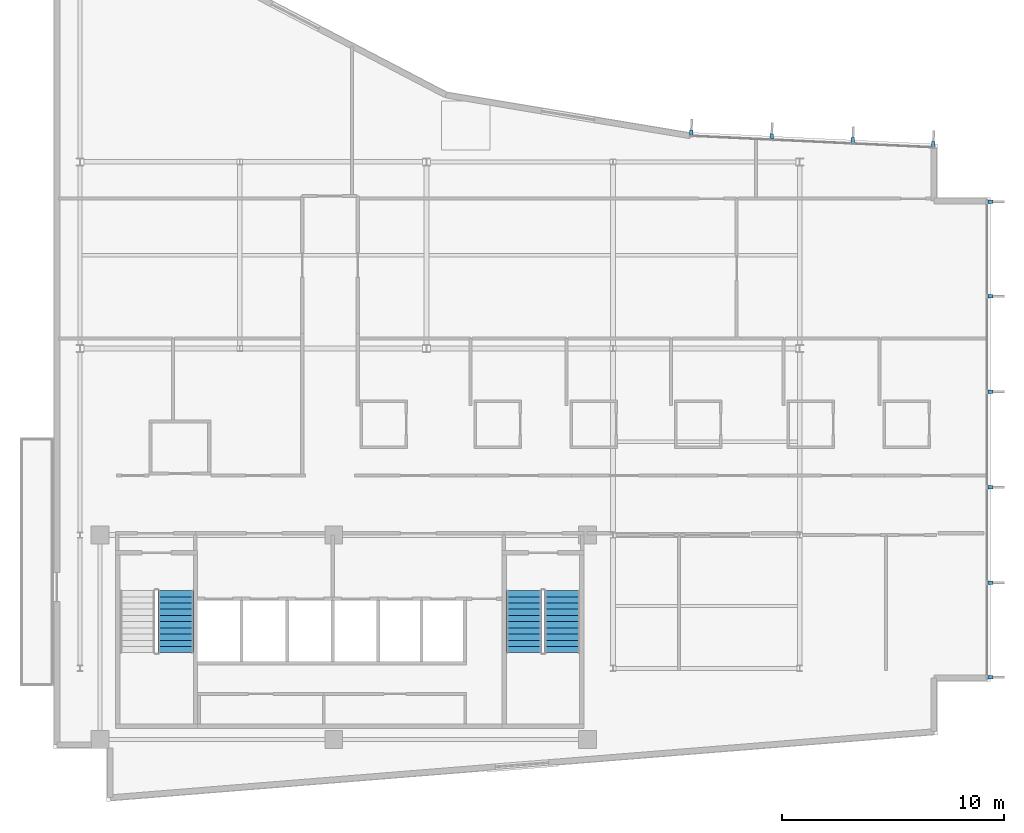
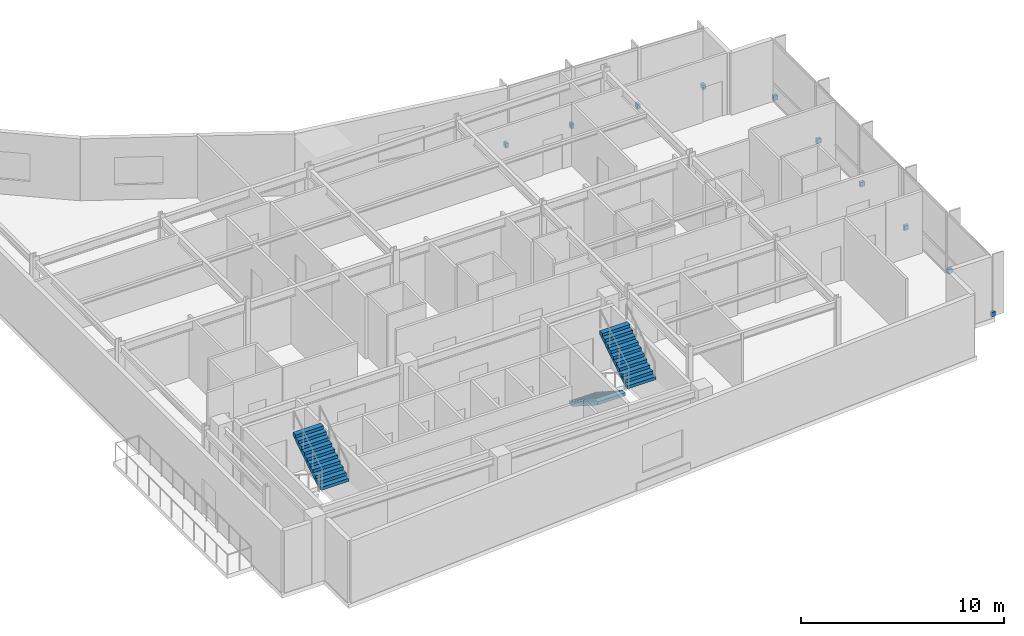
# One storey, part 13 of 16: 10 discrete accessories, 3 stair flights, 2 elements without a shape of their own.
"""IFC4 building model written with IfcOpenShell, lengths in metres."""

from ifc_helpers import new_model, si_unit, direction, frame, origin, origin_2d, place, context, subcontext, project, spatial, polyline, rectangle, outline, extrude, material, layer, layer_set, type_object, element, aggregate, save


model = new_model("IFC4")

# Units and contexts
model_context = context("Model", 3, precision=1e-05, world=origin(), true_north=direction((0.0, 1.0)))
body_context = subcontext(model_context, "Body", "Model", "MODEL_VIEW")
ifc_project = project(units=[si_unit("LENGTHUNIT", "METRE"), si_unit("AREAUNIT", "SQUARE_METRE"), si_unit("VOLUMEUNIT", "CUBIC_METRE"), si_unit("PLANEANGLEUNIT", "RADIAN"), si_unit("MASSUNIT", "GRAM", prefix="KILO")], contexts=[model_context])

# Site, building, storey
site_placement = place(None, origin())
site = spatial("IfcSite", under=ifc_project, at=site_placement, CompositionType="ELEMENT")
building_placement = place(site_placement, origin())
building = spatial("IfcBuilding", under=site, at=building_placement, Name="Varnakote Quay Hospital", CompositionType="ELEMENT")
storey_placement = place(building_placement, frame((0.0, 0.0, 260.5)))
storey = spatial("IfcBuildingStorey", under=building, at=storey_placement, Name="L64", CompositionType="ELEMENT", Elevation=260.5)

# Stair, stair flight
ifc_material_1 = material(Name="Concrete N40 (f'c 40 MPa)", Category="concrete")
stair_type = type_object("IfcStairType", Name="STR-CORE-1580", PredefinedType="HALF_TURN_STAIR", material=ifc_material_1)
stair_1_placement = place(storey_placement, origin())
stair_1 = element("IfcStair", 1, at=stair_1_placement, inside=storey, type_object=stair_type, Name="L64 Fire-Isolated Exit Stair ST-01", PredefinedType="HALF_TURN_STAIR")
ifc_material_2 = material(Name="Concrete N40 (f'c 40 MPa)", Category="concrete")
ifc_layer = layer(ifc_material_2, 0.159912109375)
ifc_layer_set = layer_set([ifc_layer], Name="Concrete N40 (f'c 40 MPa)")
stair_flight_type = type_object("IfcStairFlightType", Name="FLT-CORE-1580", PredefinedType="STRAIGHT", material=ifc_layer_set)
stair_flight_1_placement = place(storey_placement, frame((5.510009765625, 6.699951171875, 1.97509765625), z_axis=(0.0, 0.0, 1.0), x_axis=(0.0, 1.0, 0.0)))
stair_flight_1 = element("IfcStairFlight", 2, at=stair_flight_1_placement, type_object=stair_flight_type, Name="ST-01 flight 2", NumberOfRisers=11, NumberOfTreads=10, PredefinedType="STRAIGHT", RiserHeight=0.179545455, TreadLength=0.28, context=body_context, shape_type="SweptSolid", body=[
    extrude(outline(polyline([(0.0, 0.0), (0.0, 0.179443359375), (0.280029296875, 0.179443359375), (0.280029296875, 0.359130859375), (0.56005859375, 0.359130859375), (0.56005859375, 0.53857421875), (0.840087890625, 0.53857421875), (0.840087890625, 0.71826171875), (1.1201171875, 0.71826171875), (1.1201171875, 0.897705078125), (1.39990234375, 0.897705078125), (1.39990234375, 1.077392578125), (1.679931640625, 1.077392578125), (1.679931640625, 1.2568359375), (1.9599609375, 1.2568359375), (1.9599609375, 1.436279296875), (2.239990234375, 1.436279296875), (2.239990234375, 1.615966796875), (2.52001953125, 1.615966796875), (2.52001953125, 1.79541015625), (2.800048828125, 1.79541015625), (2.800048828125, 1.97509765625), (2.800048828125, 1.60546875), (0.296142578125, 0.0), (0.0, 0.0)])), frame((0.0, 0.7900390625, 0.0), z_axis=(0.0, -1.0, 0.0), x_axis=(1.0, 0.0, 0.0)), (0.0, 0.0, 1.0), 1.580078125),
])
aggregate(stair_1, [stair_flight_1])

# Stair, stair flights
stair_2_placement = place(storey_placement, origin())
stair_2 = element("IfcStair", 3, at=stair_2_placement, inside=storey, type_object=stair_type, Name="L64 Fire-Isolated Exit Stair ST-02", PredefinedType="HALF_TURN_STAIR")
stair_flight_2_placement = place(storey_placement, frame((21.18994140625, 9.5, 0.0), z_axis=(0.0, 0.0, 1.0), x_axis=(0.0, -1.0, 0.0)))
stair_flight_2 = element("IfcStairFlight", 4, at=stair_flight_2_placement, type_object=stair_flight_type, Name="ST-02 flight 1", NumberOfRisers=11, NumberOfTreads=10, PredefinedType="STRAIGHT", RiserHeight=0.179545455, TreadLength=0.28, context=body_context, shape_type="SweptSolid", body=[
    extrude(outline(polyline([(0.0, 0.0), (0.0, 0.179443359375), (0.280029296875, 0.179443359375), (0.280029296875, 0.359130859375), (0.56005859375, 0.359130859375), (0.56005859375, 0.53857421875), (0.840087890625, 0.53857421875), (0.840087890625, 0.71826171875), (1.1201171875, 0.71826171875), (1.1201171875, 0.897705078125), (1.39990234375, 0.897705078125), (1.39990234375, 1.077392578125), (1.679931640625, 1.077392578125), (1.679931640625, 1.2568359375), (1.9599609375, 1.2568359375), (1.9599609375, 1.436279296875), (2.239990234375, 1.436279296875), (2.239990234375, 1.615966796875), (2.52001953125, 1.615966796875), (2.52001953125, 1.79541015625), (2.800048828125, 1.79541015625), (2.800048828125, 1.97509765625), (2.800048828125, 1.60546875), (0.296142578125, 0.0), (0.0, 0.0)])), frame((0.0, 0.7900390625, 0.0), z_axis=(0.0, -1.0, 0.0), x_axis=(1.0, 0.0, 0.0)), (0.0, 0.0, 1.0), 1.580078125),
])
stair_flight_3_placement = place(storey_placement, frame((22.909912109375, 6.699951171875, 1.97509765625), z_axis=(0.0, 0.0, 1.0), x_axis=(0.0, 1.0, 0.0)))
stair_flight_3 = element("IfcStairFlight", 5, at=stair_flight_3_placement, type_object=stair_flight_type, Name="ST-02 flight 2", NumberOfRisers=11, NumberOfTreads=10, PredefinedType="STRAIGHT", RiserHeight=0.179545455, TreadLength=0.28, context=body_context, shape_type="SweptSolid", body=[
    extrude(outline(polyline([(0.0, 0.0), (0.0, 0.179443359375), (0.280029296875, 0.179443359375), (0.280029296875, 0.359130859375), (0.56005859375, 0.359130859375), (0.56005859375, 0.53857421875), (0.840087890625, 0.53857421875), (0.840087890625, 0.71826171875), (1.1201171875, 0.71826171875), (1.1201171875, 0.897705078125), (1.39990234375, 0.897705078125), (1.39990234375, 1.077392578125), (1.679931640625, 1.077392578125), (1.679931640625, 1.2568359375), (1.9599609375, 1.2568359375), (1.9599609375, 1.436279296875), (2.239990234375, 1.436279296875), (2.239990234375, 1.615966796875), (2.52001953125, 1.615966796875), (2.52001953125, 1.79541015625), (2.800048828125, 1.79541015625), (2.800048828125, 1.97509765625), (2.800048828125, 1.60546875), (0.296142578125, 0.0), (0.0, 0.0)])), frame((0.0, 0.7900390625, 0.0), z_axis=(0.0, -1.0, 0.0), x_axis=(1.0, 0.0, 0.0)), (0.0, 0.0, 1.0), 1.580078125),
])
aggregate(stair_2, [stair_flight_2, stair_flight_3])

# Discrete accessories
ifc_material_3 = material(Name="Anodised aluminium 6063-T6 Bronze", Category="aluminium")
discrete_accessory_type = type_object("IfcDiscreteAccessoryType", Name="ACC-FIN-BRACKET-180", PredefinedType="BRACKET", material=ifc_material_3)
for number, where, z_axis, x_axis, name in (
    (6, (42.18994140625, 5.592529296875, 0.0), (0.0, 0.0, 1.0), (0.0, 1.0, 0.0), "L64 Curtain Wall Fin Fixing Bracket"),
    (7, (42.18994140625, 9.85595703125, 0.0), (0.0, 0.0, 1.0), (0.0, 1.0, 0.0), "L64 Curtain Wall Fin Fixing Bracket"),
    (8, (42.18994140625, 14.152099609375, 0.0), (0.0, 0.0, 1.0), (0.0, 1.0, 0.0), "L64 Curtain Wall Fin Fixing Bracket"),
    (9, (42.18994140625, 18.447998046875, 0.0), (0.0, 0.0, 1.0), (0.0, 1.0, 0.0), "L64 Curtain Wall Fin Fixing Bracket"),
    (10, (42.18994140625, 22.743896484375, 0.0), (0.0, 0.0, 1.0), (0.0, 1.0, 0.0), "L64 Curtain Wall Fin Fixing Bracket"),
    (11, (42.18994140625, 27.007568359375, 0.0), (0.0, 0.0, 1.0), (0.0, 1.0, 0.0), "L64 Curtain Wall Fin Fixing Bracket"),
    (12, (39.61474609375, 29.598876953125, 0.0), (0.0, 0.0, 1.0), (-0.998873370853, 0.047455126176, 0.0), "L64 Curtain Wall Fin Fixing Bracket"),
    (13, (35.993408203125, 29.77099609375, 0.0), (0.0, 0.0, 1.0), (-0.998873370853, 0.047455126176, 0.0), "L64 Curtain Wall Fin Fixing Bracket"),
    (14, (32.33984375, 29.944580078125, 0.0), (0.0, 0.0, 1.0), (-0.998873370853, 0.047455126176, 0.0), "L64 Curtain Wall Fin Fixing Bracket"),
    (15, (28.718505859375, 30.116943359375, 0.0), (0.0, 0.0, 1.0), (-0.998873370853, 0.047455126176, 0.0), "L64 Curtain Wall Fin Fixing Bracket"),
):
    element("IfcDiscreteAccessory", number, at=place(storey_placement, frame(where, z_axis=z_axis, x_axis=x_axis)), inside=storey, type_object=discrete_accessory_type, Name=name, PredefinedType="BRACKET", context=body_context, shape_type="SweptSolid", body=[
        extrude(rectangle(XDim=0.159912109375, YDim=0.239990234375, at=origin_2d()), origin(), (0.0, 0.0, 1.0), 0.280029296875),
    ])

save(model, "model.ifc")
